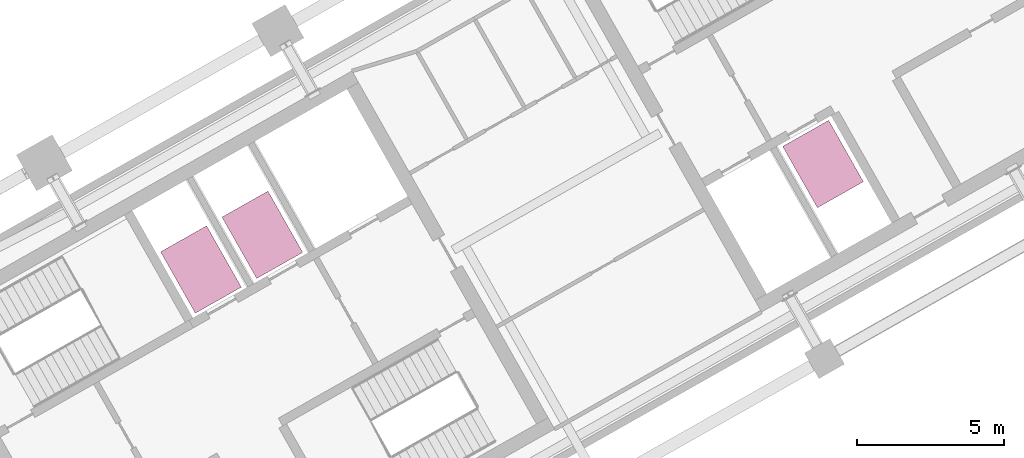
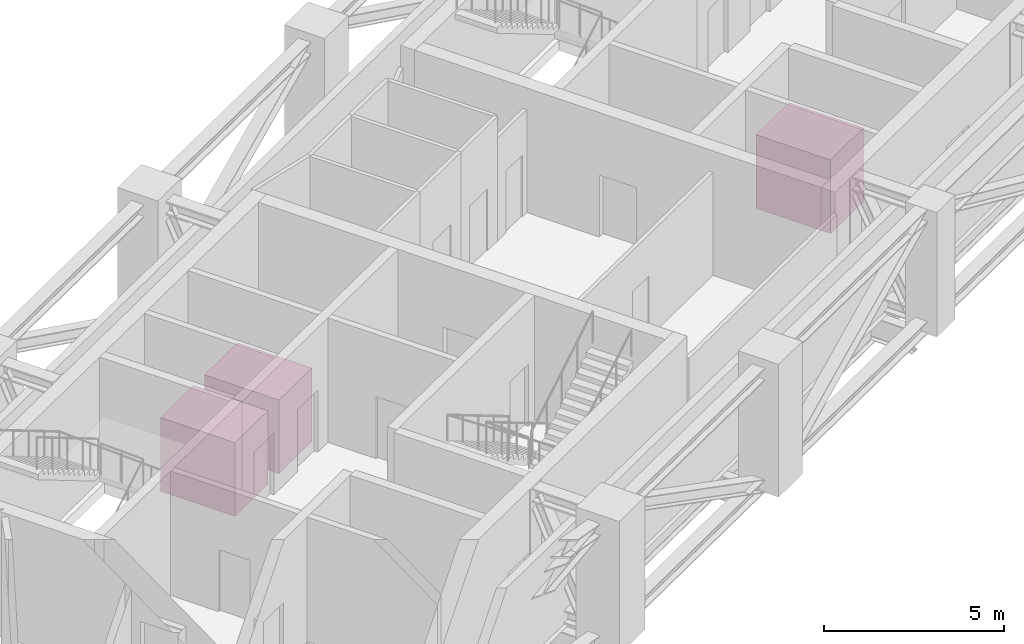
# One storey, part 13 of 13: 3 transport elements.
"""IFC4 building model written with IfcOpenShell, lengths in metres."""

from ifc_helpers import new_model, si_unit, direction, frame, origin, origin_2d, place, context, subcontext, project, spatial, rectangle, extrude, material, type_object, element, save


model = new_model("IFC4")

# Units and contexts
model_context = context("Model", 3, precision=1e-05, world=origin(), true_north=direction((0.0, 1.0)))
body_context = subcontext(model_context, "Body", "Model", "MODEL_VIEW")
ifc_project = project(units=[si_unit("LENGTHUNIT", "METRE"), si_unit("AREAUNIT", "SQUARE_METRE"), si_unit("VOLUMEUNIT", "CUBIC_METRE"), si_unit("PLANEANGLEUNIT", "RADIAN"), si_unit("MASSUNIT", "GRAM", prefix="KILO")], contexts=[model_context])

# Site, building, storey
site_placement = place(None, origin())
site = spatial("IfcSite", under=ifc_project, at=site_placement, CompositionType="ELEMENT")
building_placement = place(site_placement, origin())
building = spatial("IfcBuilding", under=site, at=building_placement, Name="Binnacle Exchange Tower", CompositionType="ELEMENT")
storey_placement = place(building_placement, frame((0.0, 0.0, 258.199951171875)))
storey = spatial("IfcBuildingStorey", under=building, at=storey_placement, Name="L57", CompositionType="ELEMENT", Elevation=258.199951171875)

# Transport elements
ifc_material = material(Name="Stainless steel lift car", Category="steel")
transport_element_type = type_object("IfcTransportElementType", Name="LIFT CAR 1800x2400", PredefinedType="ELEVATOR", material=ifc_material)
for number, where, z_axis, x_axis, name in (
    (1, (-36.95166015625, 43.287353515625, 0.0), (0.0, 0.0, 1.0), (0.870355581136, 0.492423763019, 0.0), "Lift HP1 (passenger high-rise)"),
    (2, (-34.86279296875, 44.46923828125, 0.0), (0.0, 0.0, 1.0), (0.870355581136, 0.492423763019, 0.0), "Lift HP2 (passenger high-rise)"),
    (3, (-15.78369140625, 46.876220703125, 0.0), (0.0, 0.0, 1.0), (0.870355581136, 0.492423763019, 0.0), "Lift HP3 (passenger high-rise)"),
):
    element("IfcTransportElement", number, at=place(storey_placement, frame(where, z_axis=z_axis, x_axis=x_axis)), inside=storey, type_object=transport_element_type, Name=name, PredefinedType="ELEVATOR", context=body_context, shape_type="SweptSolid", body=[
        extrude(rectangle(XDim=1.800048828125, YDim=2.39990234375, at=origin_2d()), origin(), (0.0, 0.0, 1.0), 2.5),
    ])

save(model, "model.ifc")
